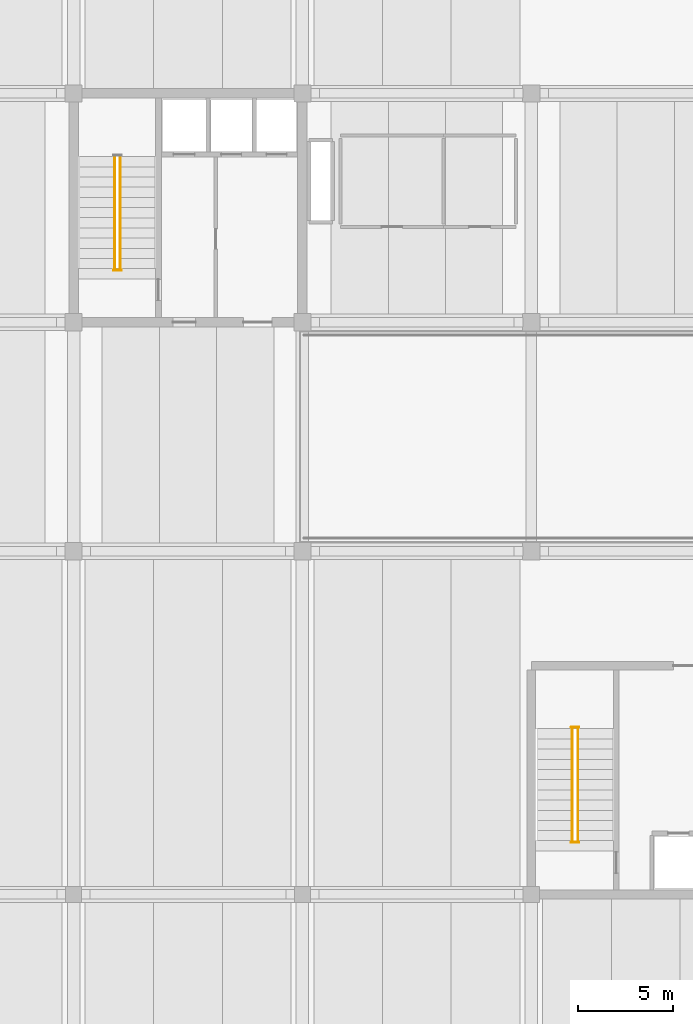
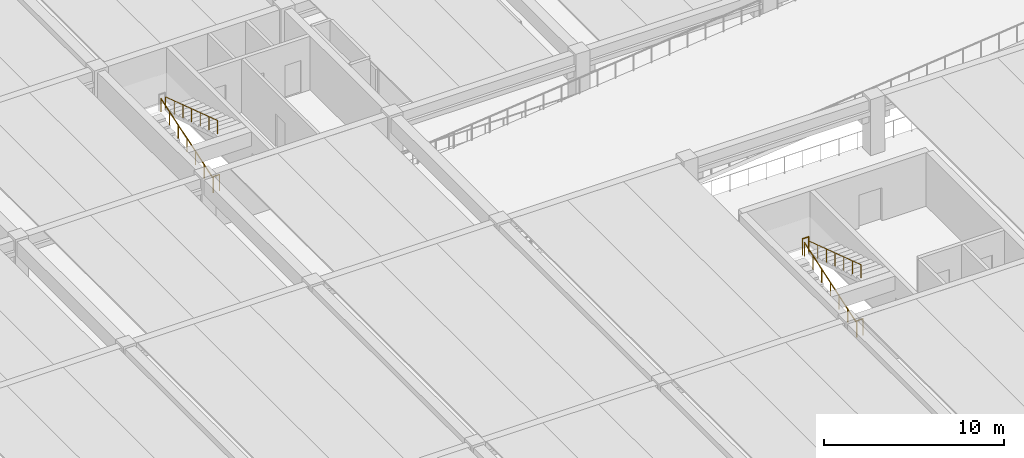
# One storey, part 15 of 19: 7 railings.
"""IFC4 building model written with IfcOpenShell, lengths in metres."""

import ifcopenshell
import ifcopenshell.guid

model = None  # the IFC model being written
_history = None  # IfcOwnerHistory: only IFC2X3 demands one
_inside = {}  # id of a spatial element -> (the spatial element, [elements in it])
_under = {}  # id of a project, library or spatial element -> (it, [spatial elements below it])
_declared = {}  # id of a project -> (the project, [libraries it declares])
_typed = {}  # id of a type object -> (the type object, [elements of that type])
_made_of = {}  # id of a material, layer set ... -> (it, [elements and type objects made of it])


def new_model(schema):
    """Start an empty IFC model of exactly this schema.

    Asked for "IFC4X3", IfcOpenShell would pick the latest addendum, in which some entities
    have other attributes; the version numbers below select the first issue.
    IFC2X3 requires an IfcOwnerHistory on every rooted entity: one is made here for all.
    """
    global model, _history
    if schema == "IFC4X3":
        model = ifcopenshell.file(schema_version=(4, 3, 0, 0))
    else:
        model = ifcopenshell.file(schema=schema)
    _inside.clear()
    _under.clear()
    _declared.clear()
    _typed.clear()
    _made_of.clear()
    _history = None
    if model.schema == "IFC2X3":
        org = make("IfcOrganization", Name="unknown")
        user = make(
            "IfcPersonAndOrganization",
            ThePerson=make("IfcPerson", FamilyName="unknown"),
            TheOrganization=org,
        )
        app = make(
            "IfcApplication",
            ApplicationDeveloper=org,
            Version="unknown",
            ApplicationFullName="unknown",
            ApplicationIdentifier="unknown",
        )
        _history = make(
            "IfcOwnerHistory",
            OwningUser=user,
            OwningApplication=app,
            ChangeAction="ADDED",
            CreationDate=0,
        )
    return model


def make(cls, **values):
    """One entity of the class cls with the attributes given. An attribute that is None is left unset."""
    return model.create_entity(
        cls, **{name: value for name, value in values.items() if value is not None}
    )


def rooted(cls, **values):
    """An entity with a GlobalId (a new one), such as an element, a storey or a relation."""
    return make(cls, GlobalId=ifcopenshell.guid.new(), OwnerHistory=_history, **values)


def si_unit(unit_type, name, prefix=None):
    """IfcSIUnit, for example si_unit("LENGTHUNIT", "METRE", prefix="MILLI")."""
    return make("IfcSIUnit", UnitType=unit_type, Prefix=prefix, Name=name)


def assignment(units):
    """IfcUnitAssignment: the units of a project."""
    return None if units is None else make("IfcUnitAssignment", Units=units)


def point(xyz):
    """IfcCartesianPoint."""
    return None if xyz is None else make("IfcCartesianPoint", Coordinates=xyz)


def direction(xyz):
    """IfcDirection."""
    return None if xyz is None else make("IfcDirection", DirectionRatios=xyz)


def frame(location, z_axis=None, x_axis=None):
    """IfcAxis2Placement3D, a coordinate frame: its origin and axes. An axis left out is left unset."""
    return make(
        "IfcAxis2Placement3D",
        Location=point(location),
        Axis=direction(z_axis),
        RefDirection=direction(x_axis),
    )


def frame_2d(location, x_axis=None):
    """IfcAxis2Placement2D, a coordinate frame in the plane: its origin and x axis."""
    return make(
        "IfcAxis2Placement2D", Location=point(location), RefDirection=direction(x_axis)
    )


def origin():
    """The frame at (0, 0, 0) with its axes left unset."""
    return frame((0.0, 0.0, 0.0))


def origin_2d():
    """The frame at (0, 0) in the plane with its x axis left unset."""
    return frame_2d((0.0, 0.0))


def place(relative_to, where):
    """IfcLocalPlacement: puts the frame where relative to a parent placement (None: the world)."""
    return make(
        "IfcLocalPlacement", PlacementRelTo=relative_to, RelativePlacement=where
    )


def context(
    kind, dimensions, precision=None, world=None, true_north=None, identifier=None
):
    """IfcGeometricRepresentationContext, for example the 3D "Model" context."""
    return make(
        "IfcGeometricRepresentationContext",
        ContextIdentifier=identifier,
        ContextType=kind,
        CoordinateSpaceDimension=dimensions,
        Precision=precision,
        WorldCoordinateSystem=world,
        TrueNorth=true_north,
    )


def subcontext(parent, identifier, kind, view, scale=None):
    """IfcGeometricRepresentationSubContext, for example "Body" below "Model"."""
    return make(
        "IfcGeometricRepresentationSubContext",
        ContextIdentifier=identifier,
        ContextType=kind,
        ParentContext=parent,
        TargetScale=scale,
        TargetView=view,
    )


def project(units=None, contexts=None):
    """IfcProject with its units and contexts."""
    return rooted(
        "IfcProject",
        Name="project",
        RepresentationContexts=contexts,
        UnitsInContext=assignment(units),
    )


def spatial(cls, under=None, at=None, **own):
    """A site, building, storey or space (cls), placed at a placement, below another one or the project."""
    s = rooted(cls, ObjectPlacement=at, **own)
    if under is not None:
        _under.setdefault(under.id(), (under, []))[1].append(s)
    return s


def profile(cls, at=None, kind="AREA", **sizes):
    """A parametric profile (cls). Its sizes go by their IFC names, for example OverallWidth=200.0."""
    return make(cls, ProfileType=kind, Position=at, **sizes)


def circle(**sizes):
    """IfcCircleProfileDef."""
    return profile("IfcCircleProfileDef", **sizes)


def extrude(swept, where, along, depth):
    """IfcExtrudedAreaSolid: the profile swept, set in the frame where, extruded along a direction by depth."""
    return make(
        "IfcExtrudedAreaSolid",
        SweptArea=swept,
        Position=where,
        ExtrudedDirection=direction(along),
        Depth=depth,
    )


def shape(context_of_items, identifier, shape_type, items):
    """IfcShapeRepresentation: the items that make up one representation, for example the "Body"."""
    return make(
        "IfcShapeRepresentation",
        ContextOfItems=context_of_items,
        RepresentationIdentifier=identifier,
        RepresentationType=shape_type,
        Items=items,
    )


def material(Name=None, Category=None):
    """IfcMaterial."""
    return make("IfcMaterial", Name=Name, Category=Category)


def layer(
    of_material, thickness, ventilated=None, Name=None, Category=None, Priority=None
):
    """IfcMaterialLayer: one layer of a wall or slab, of a material (None: an air gap)."""
    return make(
        "IfcMaterialLayer",
        Material=of_material,
        LayerThickness=thickness,
        IsVentilated=ventilated,
        Name=Name,
        Category=Category,
        Priority=Priority,
    )


def layer_set(layers, Name=None):
    """IfcMaterialLayerSet."""
    return make("IfcMaterialLayerSet", MaterialLayers=layers, LayerSetName=Name)


def made_of(thing, what):
    """Note that an element or type object is made of a material, layer set ...; save() writes the relation."""
    if what is not None:
        _made_of.setdefault(what.id(), (what, []))[1].append(thing)
    return thing


def type_object(cls, material=None, **own):
    """A type object (cls), such as IfcWallType, which elements share."""
    return made_of(rooted(cls, **own), material)


def element(
    cls,
    number,
    at=None,
    inside=None,
    cuts=None,
    type_object=None,
    material=None,
    context=None,
    identifier="Body",
    shape_type=None,
    held_by="IfcProductDefinitionShape",
    body=None,
    shapes=None,
    **own,
):
    """One element of the class cls, such as IfcWall. Its Tag is "e" and its number.

    at: its placement. inside: the storey or other place that contains it. cuts: it is an
    opening in that element (IfcRelVoidsElement). A single representation is given by context,
    identifier, shape_type and body (its items); several are given by shapes. held_by: the class
    of the entity that holds the representations. save() writes the other relations.
    """
    e = rooted(cls, Tag="e%d" % number, ObjectPlacement=at, **own)
    if body is not None:
        shapes = [shape(context, identifier, shape_type, body)]
    if shapes is not None:
        e.Representation = make(held_by, Representations=shapes)
    if inside is not None:
        _inside.setdefault(inside.id(), (inside, []))[1].append(e)
    if cuts is not None:
        rooted(
            "IfcRelVoidsElement", RelatingBuildingElement=cuts, RelatedOpeningElement=e
        )
    if type_object is not None:
        _typed.setdefault(type_object.id(), (type_object, []))[1].append(e)
    return made_of(e, material)


def aggregate(whole, parts):
    """IfcRelAggregates: a whole, such as a stair, and the parts it consists of."""
    return rooted("IfcRelAggregates", RelatingObject=whole, RelatedObjects=parts)


def save(model, path):
    """Write the relations noted so far, then the file.

    IfcRelAggregates (storeys below a building ...), IfcRelContainedInSpatialStructure (elements
    in a storey), IfcRelDefinesByType, IfcRelAssociatesMaterial and IfcRelDeclares: one each for
    every whole, place, type object, material and project.
    """
    for whole, parts in _under.values():
        aggregate(whole, parts)
    for where, things in _inside.values():
        rooted(
            "IfcRelContainedInSpatialStructure",
            RelatedElements=things,
            RelatingStructure=where,
        )
    for kind, things in _typed.values():
        rooted("IfcRelDefinesByType", RelatedObjects=things, RelatingType=kind)
    for what, things in _made_of.values():
        rooted("IfcRelAssociatesMaterial", RelatedObjects=things, RelatingMaterial=what)
    for by, libraries in _declared.values():
        rooted("IfcRelDeclares", RelatingContext=by, RelatedDefinitions=libraries)
    model.write(path)


model = new_model("IFC4")

# Units and contexts
model_context = context("Model", 3, precision=1e-05, world=origin(), true_north=direction((0.0, 1.0)))
body_context = subcontext(model_context, "Body", "Model", "MODEL_VIEW")
ifc_project = project(units=[si_unit("LENGTHUNIT", "METRE"), si_unit("AREAUNIT", "SQUARE_METRE"), si_unit("VOLUMEUNIT", "CUBIC_METRE"), si_unit("PLANEANGLEUNIT", "RADIAN"), si_unit("MASSUNIT", "GRAM", prefix="KILO")], contexts=[model_context])

# Site, building, storey
site_placement = place(None, origin())
site = spatial("IfcSite", under=ifc_project, at=site_placement, CompositionType="ELEMENT")
building_placement = place(site_placement, origin())
building = spatial("IfcBuilding", under=site, at=building_placement, Name="Girod Span Mobility Hub", CompositionType="ELEMENT")
storey_placement = place(building_placement, frame((0.0, 0.0, 9.60009765625)))
storey = spatial("IfcBuildingStorey", under=building, at=storey_placement, Name="L02", CompositionType="ELEMENT", Elevation=9.60009765625)

# Railings
ifc_material_1 = material(Name="Painted Galvanised Steel", Category="steel")
ifc_layer_1 = layer(ifc_material_1, 0.06494140625)
ifc_layer_set_1 = layer_set([ifc_layer_1], Name="Painted Galvanised Steel")
railing_type_1 = type_object("IfcRailingType", Name="RL-GRD-1120", PredefinedType="GUARDRAIL", material=ifc_layer_set_1)
for number, where, name in (
    (1, (50.10009765625, 59.72998046875, 0.0), "Stair ST-1 Landing Well Guard L02"),
    (2, (74.10009765625, 35.77001953125, 1.89990234375), "Stair ST-3 Half-Landing Well Guard L02"),
    (3, (74.10009765625, 29.72998046875, 0.0), "Stair ST-3 Landing Well Guard L02"),
):
    element("IfcRailing", number, at=place(storey_placement, frame(where)), inside=storey, type_object=railing_type_1, Name=name, PredefinedType="GUARDRAIL", context=body_context, shape_type="SweptSolid", body=[
        extrude(circle(Radius=0.02392578125, at=origin_2d()), frame((0.0, 0.0, 1.09619140625), z_axis=(1.0, 0.0, 0.0), x_axis=(0.0, 1.0, 0.0)), (0.0, 0.0, 1.0), 0.39990234375),
        extrude(circle(Radius=0.02099609375, at=origin_2d()), origin(), (0.0, 0.0, 1.0), 1.072021484375),
        extrude(circle(Radius=0.02099609375, at=origin_2d()), frame((0.39990234375, 0.0, 0.0)), (0.0, 0.0, 1.0), 1.072021484375),
    ])
ifc_material_2 = material(Name="Painted Galvanised Steel", Category="steel")
ifc_layer_2 = layer(ifc_material_2, 0.050048828125)
ifc_layer_set_2 = layer_set([ifc_layer_2], Name="Painted Galvanised Steel")
railing_type_2 = type_object("IfcRailingType", Name="RL-HR-920", PredefinedType="HANDRAIL", material=ifc_layer_set_2)
railing_1_placement = place(storey_placement, frame((50.14990234375, 59.860107421875, 0.0)))
element("IfcRailing", 4, at=railing_1_placement, inside=storey, type_object=railing_type_2, Name="Stair ST-1 Flight 1 Handrail L02", PredefinedType="HANDRAIL", context=body_context, shape_type="SweptSolid", body=[
    extrude(circle(Radius=0.02392578125, at=origin_2d()), frame((0.0, 0.0, 0.89599609375), z_axis=(0.0, 0.949991280403, 0.312276427477), x_axis=(-1.0, 0.0, 0.0)), (0.0, 0.0, 1.0), 6.083984375),
    extrude(circle(Radius=0.02099609375, at=origin_2d()), origin(), (0.0, 0.0, 1.0), 0.871826171875),
    extrude(circle(Radius=0.02099609375, at=origin_2d()), frame((0.0, 0.96337890625, 0.316650390625)), (0.0, 0.0, 1.0), 0.871826171875),
    extrude(circle(Radius=0.02099609375, at=origin_2d()), frame((0.0, 1.926513671875, 0.63330078125)), (0.0, 0.0, 1.0), 0.871826171875),
    extrude(circle(Radius=0.02099609375, at=origin_2d()), frame((0.0, 2.889892578125, 0.949951171875)), (0.0, 0.0, 1.0), 0.871826171875),
    extrude(circle(Radius=0.02099609375, at=origin_2d()), frame((0.0, 3.853271484375, 1.2666015625)), (0.0, 0.0, 1.0), 0.871826171875),
    extrude(circle(Radius=0.02099609375, at=origin_2d()), frame((0.0, 4.81640625, 1.583251953125)), (0.0, 0.0, 1.0), 0.871826171875),
    extrude(circle(Radius=0.02099609375, at=origin_2d()), frame((0.0, 5.77978515625, 1.89990234375)), (0.0, 0.0, 1.0), 0.871826171875),
])
railing_2_placement = place(storey_placement, frame((50.449951171875, 65.639892578125, 1.89990234375)))
element("IfcRailing", 5, at=railing_2_placement, inside=storey, type_object=railing_type_2, Name="Stair ST-1 Flight 2 Handrail L02", PredefinedType="HANDRAIL", context=body_context, shape_type="SweptSolid", body=[
    extrude(circle(Radius=0.02392578125, at=origin_2d()), frame((0.0, 0.0, 0.89599609375), z_axis=(0.0, -0.949991280403, 0.312276427477), x_axis=(1.0, 0.0, 0.0)), (0.0, 0.0, 1.0), 6.083984375),
    extrude(circle(Radius=0.02099609375, at=origin_2d()), origin(), (0.0, 0.0, 1.0), 0.871826171875),
    extrude(circle(Radius=0.02099609375, at=origin_2d()), frame((0.0, -0.96337890625, 0.316650390625)), (0.0, 0.0, 1.0), 0.871826171875),
    extrude(circle(Radius=0.02099609375, at=origin_2d()), frame((0.0, -1.926513671875, 0.63330078125)), (0.0, 0.0, 1.0), 0.871826171875),
    extrude(circle(Radius=0.02099609375, at=origin_2d()), frame((0.0, -2.889892578125, 0.949951171875)), (0.0, 0.0, 1.0), 0.871826171875),
    extrude(circle(Radius=0.02099609375, at=origin_2d()), frame((0.0, -3.853271484375, 1.2666015625)), (0.0, 0.0, 1.0), 0.871826171875),
    extrude(circle(Radius=0.02099609375, at=origin_2d()), frame((0.0, -4.81640625, 1.583251953125)), (0.0, 0.0, 1.0), 0.871826171875),
    extrude(circle(Radius=0.02099609375, at=origin_2d()), frame((0.0, -5.77978515625, 1.89990234375)), (0.0, 0.0, 1.0), 0.871826171875),
])
railing_3_placement = place(storey_placement, frame((74.14990234375, 29.860107421875, 0.0)))
element("IfcRailing", 6, at=railing_3_placement, inside=storey, type_object=railing_type_2, Name="Stair ST-3 Flight 1 Handrail L02", PredefinedType="HANDRAIL", context=body_context, shape_type="SweptSolid", body=[
    extrude(circle(Radius=0.02392578125, at=origin_2d()), frame((0.0, 0.0, 0.89599609375), z_axis=(0.0, 0.949991280403, 0.312276427477), x_axis=(-1.0, 0.0, 0.0)), (0.0, 0.0, 1.0), 6.083984375),
    extrude(circle(Radius=0.02099609375, at=origin_2d()), origin(), (0.0, 0.0, 1.0), 0.871826171875),
    extrude(circle(Radius=0.02099609375, at=origin_2d()), frame((0.0, 0.96337890625, 0.316650390625)), (0.0, 0.0, 1.0), 0.871826171875),
    extrude(circle(Radius=0.02099609375, at=origin_2d()), frame((0.0, 1.926513671875, 0.63330078125)), (0.0, 0.0, 1.0), 0.871826171875),
    extrude(circle(Radius=0.02099609375, at=origin_2d()), frame((0.0, 2.889892578125, 0.949951171875)), (0.0, 0.0, 1.0), 0.871826171875),
    extrude(circle(Radius=0.02099609375, at=origin_2d()), frame((0.0, 3.853271484375, 1.2666015625)), (0.0, 0.0, 1.0), 0.871826171875),
    extrude(circle(Radius=0.02099609375, at=origin_2d()), frame((0.0, 4.81640625, 1.583251953125)), (0.0, 0.0, 1.0), 0.871826171875),
    extrude(circle(Radius=0.02099609375, at=origin_2d()), frame((0.0, 5.77978515625, 1.89990234375)), (0.0, 0.0, 1.0), 0.871826171875),
])
railing_4_placement = place(storey_placement, frame((74.449951171875, 35.639892578125, 1.89990234375)))
element("IfcRailing", 7, at=railing_4_placement, inside=storey, type_object=railing_type_2, Name="Stair ST-3 Flight 2 Handrail L02", PredefinedType="HANDRAIL", context=body_context, shape_type="SweptSolid", body=[
    extrude(circle(Radius=0.02392578125, at=origin_2d()), frame((0.0, 0.0, 0.89599609375), z_axis=(0.0, -0.949991280403, 0.312276427477), x_axis=(1.0, 0.0, 0.0)), (0.0, 0.0, 1.0), 6.083984375),
    extrude(circle(Radius=0.02099609375, at=origin_2d()), origin(), (0.0, 0.0, 1.0), 0.871826171875),
    extrude(circle(Radius=0.02099609375, at=origin_2d()), frame((0.0, -0.96337890625, 0.316650390625)), (0.0, 0.0, 1.0), 0.871826171875),
    extrude(circle(Radius=0.02099609375, at=origin_2d()), frame((0.0, -1.926513671875, 0.63330078125)), (0.0, 0.0, 1.0), 0.871826171875),
    extrude(circle(Radius=0.02099609375, at=origin_2d()), frame((0.0, -2.889892578125, 0.949951171875)), (0.0, 0.0, 1.0), 0.871826171875),
    extrude(circle(Radius=0.02099609375, at=origin_2d()), frame((0.0, -3.853271484375, 1.2666015625)), (0.0, 0.0, 1.0), 0.871826171875),
    extrude(circle(Radius=0.02099609375, at=origin_2d()), frame((0.0, -4.81640625, 1.583251953125)), (0.0, 0.0, 1.0), 0.871826171875),
    extrude(circle(Radius=0.02099609375, at=origin_2d()), frame((0.0, -5.77978515625, 1.89990234375)), (0.0, 0.0, 1.0), 0.871826171875),
])

save(model, "model.ifc")
